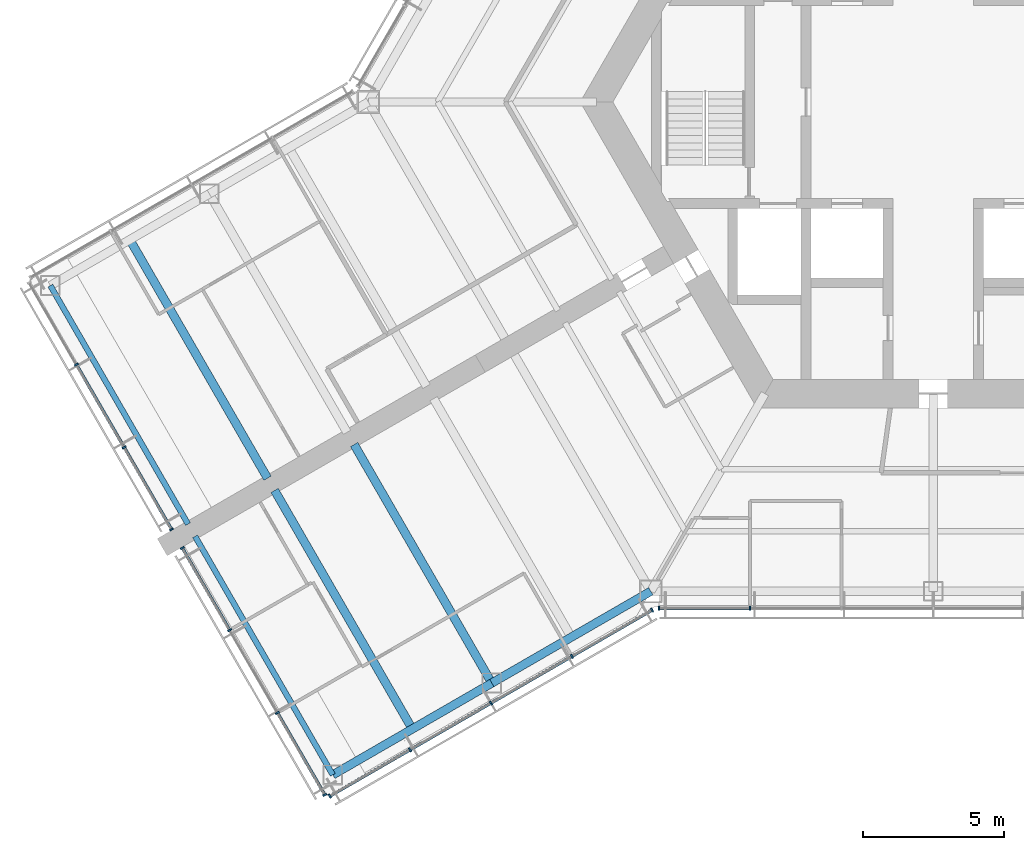
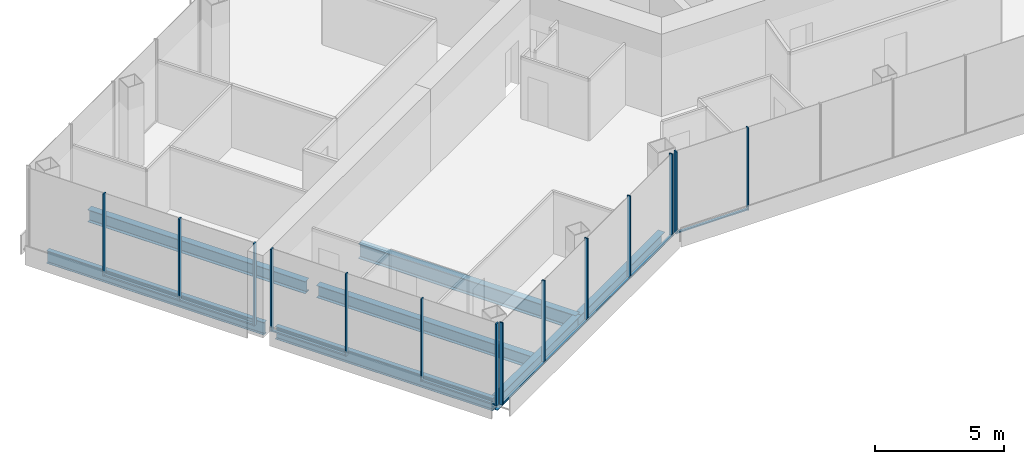
# One storey, part 2 of 18: 23 members, 7 beams, 4 elements without a shape of their own.
"""IFC4 building model written with IfcOpenShell, lengths in metres."""

from ifc_helpers import new_model, si_unit, direction, frame, origin, origin_2d, place, context, subcontext, project, spatial, rectangle, i_section, extrude, material, material_profile, profile_set, type_object, element, aggregate, save


model = new_model("IFC4")

# Units and contexts
model_context = context("Model", 3, precision=1e-05, world=origin(), true_north=direction((0.0, 1.0)))
body_context = subcontext(model_context, "Body", "Model", "MODEL_VIEW")
ifc_project = project(units=[si_unit("LENGTHUNIT", "METRE"), si_unit("AREAUNIT", "SQUARE_METRE"), si_unit("VOLUMEUNIT", "CUBIC_METRE"), si_unit("PLANEANGLEUNIT", "RADIAN"), si_unit("MASSUNIT", "GRAM", prefix="KILO")], contexts=[model_context])

# Site, building, storey
site_placement = place(None, origin())
site = spatial("IfcSite", under=ifc_project, at=site_placement, CompositionType="ELEMENT")
building_placement = place(site_placement, origin())
building = spatial("IfcBuilding", under=site, at=building_placement, Name="Kasaneha Research Tower", CompositionType="ELEMENT")
storey_placement = place(building_placement, frame((0.0, 0.0, 191.60009765625)))
storey = spatial("IfcBuildingStorey", under=building, at=storey_placement, Name="L48", CompositionType="ELEMENT", Elevation=191.60009765625)

# Beams
ifc_material_1 = material(Name="Steel SN490B", Category="steel")
ifc_material_profile_1 = material_profile(ifc_material_1, i_section(OverallWidth=0.300048828125, OverallDepth=0.58203125, WebThickness=0.011962890625, FlangeThickness=0.01708984375, FilletRadius=0.012939453125, at=origin_2d()), Name="H-582x300x12x17")
ifc_profile_set_1 = profile_set([ifc_material_profile_1], Name="Steel SN490B")
beam_type_1 = type_object("IfcBeamType", Name="B2-3 secondary beam H-582x300x12x17", PredefinedType="JOIST", material=ifc_profile_set_1)
for number, where, z_axis, x_axis, name in (
    (1, (-28.44384765625, -4.875, -0.441162109375), (0.499995560238, -0.866027967067, 0.0), (0.866027967067, 0.499995560238, 0.0), "Secondary beam WBBP2 L48"),
    (2, (-18.44384765625, -22.195556640625, -0.441162109375), (-0.499995560238, 0.866027967067, 0.0), (-0.866027967067, -0.499995560238, 0.0), "Secondary beam WBBN2 L48"),
):
    element("IfcBeam", number, at=place(storey_placement, frame(where, z_axis=z_axis, x_axis=x_axis)), inside=storey, type_object=beam_type_1, Name=name, PredefinedType="JOIST", context=body_context, shape_type="SweptSolid", body=[
        extrude(i_section(OverallWidth=0.300048828125, OverallDepth=0.58203125, WebThickness=0.011962890625, FlangeThickness=0.01708984375, FilletRadius=0.012939453125, at=origin_2d()), origin(), (0.0, 0.0, 1.0), 9.75),
    ])

# Curtain wall, members
ifc_material_2 = material(Name="Glass and aluminium", Category="aluminium")
curtain_wall_type = type_object("IfcCurtainWallType", Name="Mid-rise office curtain wall", PredefinedType="USERDEFINED", material=ifc_material_2)
curtain_wall_1_placement = place(storey_placement, origin())
curtain_wall_1 = element("IfcCurtainWall", 3, at=curtain_wall_1_placement, inside=storey, type_object=curtain_wall_type, Name="CW-O2 L48 run 01a", ObjectType="UNITISED CURTAIN WALL", PredefinedType="USERDEFINED")
ifc_material_3 = material(Name="Aluminium 6063-T6", Category="aluminium")
ifc_material_profile_2 = material_profile(ifc_material_3, rectangle(XDim=0.06005859375, YDim=0.14990234375, at=origin_2d()), Name="CW-O2 mullion 60x150")
ifc_profile_set_2 = profile_set([ifc_material_profile_2], Name="Aluminium 6063-T6")
member_type_1 = type_object("IfcMemberType", Name="CW-O2 mullion", PredefinedType="MULLION", material=ifc_profile_set_2)
member_1_placement = place(storey_placement, frame((-9.709228515625, -17.92041015625, 0.0), z_axis=(0.0, 0.0, 1.0), x_axis=(1.0, 0.0, 0.0)))
member_1 = element("IfcMember", 4, at=member_1_placement, type_object=member_type_1, Name="CW-O2 mullion 1", PredefinedType="MULLION", context=body_context, shape_type="SweptSolid", body=[
    extrude(rectangle(XDim=0.06005859375, YDim=0.14990234375, at=origin_2d()), origin(), (0.0, 0.0, 1.0), 3.89990234375),
])
member_2_placement = place(storey_placement, frame((-6.492919921875, -17.92041015625, 0.0), z_axis=(0.0, 0.0, 1.0), x_axis=(1.0, 0.0, 0.0)))
member_2 = element("IfcMember", 5, at=member_2_placement, type_object=member_type_1, Name="CW-O2 mullion 2", PredefinedType="MULLION", context=body_context, shape_type="SweptSolid", body=[
    extrude(rectangle(XDim=0.06005859375, YDim=0.14990234375, at=origin_2d()), origin(), (0.0, 0.0, 1.0), 3.89990234375),
])

curtain_wall_2_placement = place(storey_placement, origin())
curtain_wall_2 = element("IfcCurtainWall", 6, at=curtain_wall_2_placement, inside=storey, type_object=curtain_wall_type, Name="CW-O2 L48 run 10a", ObjectType="UNITISED CURTAIN WALL", PredefinedType="USERDEFINED")
member_3_placement = place(storey_placement, frame((-30.336181640625, -9.297119140625, 0.0), z_axis=(0.0, 0.0, 1.0), x_axis=(0.500000011442, -0.866025397178, 0.0)))
member_3 = element("IfcMember", 7, at=member_3_placement, type_object=member_type_1, Name="CW-O2 mullion 2", PredefinedType="MULLION", context=body_context, shape_type="SweptSolid", body=[
    extrude(rectangle(XDim=0.06005859375, YDim=0.14990234375, at=origin_2d()), origin(), (0.0, 0.0, 1.0), 3.89990234375),
])
member_4_placement = place(storey_placement, frame((-28.64453125, -12.22705078125, 0.0), z_axis=(0.0, 0.0, 1.0), x_axis=(0.500000011442, -0.866025397178, 0.0)))
member_4 = element("IfcMember", 8, at=member_4_placement, type_object=member_type_1, Name="CW-O2 mullion 3", PredefinedType="MULLION", context=body_context, shape_type="SweptSolid", body=[
    extrude(rectangle(XDim=0.06005859375, YDim=0.14990234375, at=origin_2d()), origin(), (0.0, 0.0, 1.0), 3.89990234375),
])
member_5_placement = place(storey_placement, frame((-26.968017578125, -15.131103515625, 0.0), z_axis=(0.0, 0.0, 1.0), x_axis=(0.500000011442, -0.866025397178, 0.0)))
member_5 = element("IfcMember", 9, at=member_5_placement, type_object=member_type_1, Name="CW-O2 mullion 4", PredefinedType="MULLION", context=body_context, shape_type="SweptSolid", body=[
    extrude(rectangle(XDim=0.06005859375, YDim=0.14990234375, at=origin_2d()), origin(), (0.0, 0.0, 1.0), 3.89990234375),
])

curtain_wall_3_placement = place(storey_placement, origin())
curtain_wall_3 = element("IfcCurtainWall", 10, at=curtain_wall_3_placement, inside=storey, type_object=curtain_wall_type, Name="CW-O2 L48 run 11a", ObjectType="UNITISED CURTAIN WALL", PredefinedType="USERDEFINED")
member_6_placement = place(storey_placement, frame((-26.587890625, -15.789306640625, 0.0), z_axis=(0.0, 0.0, 1.0), x_axis=(0.500000011442, -0.866025397178, 0.0)))
member_6 = element("IfcMember", 11, at=member_6_placement, type_object=member_type_1, Name="CW-O2 mullion 1", PredefinedType="MULLION", context=body_context, shape_type="SweptSolid", body=[
    extrude(rectangle(XDim=0.06005859375, YDim=0.14990234375, at=origin_2d()), origin(), (0.0, 0.0, 1.0), 3.89990234375),
])
member_7_placement = place(storey_placement, frame((-24.911376953125, -18.693359375, 0.0), z_axis=(0.0, 0.0, 1.0), x_axis=(0.500000011442, -0.866025397178, 0.0)))
member_7 = element("IfcMember", 12, at=member_7_placement, type_object=member_type_1, Name="CW-O2 mullion 2", PredefinedType="MULLION", context=body_context, shape_type="SweptSolid", body=[
    extrude(rectangle(XDim=0.06005859375, YDim=0.14990234375, at=origin_2d()), origin(), (0.0, 0.0, 1.0), 3.89990234375),
])
member_8_placement = place(storey_placement, frame((-23.2197265625, -21.62353515625, 0.0), z_axis=(0.0, 0.0, 1.0), x_axis=(0.500000011442, -0.866025397178, 0.0)))
member_8 = element("IfcMember", 13, at=member_8_placement, type_object=member_type_1, Name="CW-O2 mullion 3", PredefinedType="MULLION", context=body_context, shape_type="SweptSolid", body=[
    extrude(rectangle(XDim=0.06005859375, YDim=0.14990234375, at=origin_2d()), origin(), (0.0, 0.0, 1.0), 3.89990234375),
])
member_9_placement = place(storey_placement, frame((-21.54296875, -24.527587890625, 0.0), z_axis=(0.0, 0.0, 1.0), x_axis=(0.500000011442, -0.866025397178, 0.0)))
member_9 = element("IfcMember", 14, at=member_9_placement, type_object=member_type_1, Name="CW-O2 mullion 4", PredefinedType="MULLION", context=body_context, shape_type="SweptSolid", body=[
    extrude(rectangle(XDim=0.06005859375, YDim=0.14990234375, at=origin_2d()), origin(), (0.0, 0.0, 1.0), 3.89990234375),
])

curtain_wall_4_placement = place(storey_placement, origin())
curtain_wall_4 = element("IfcCurtainWall", 15, at=curtain_wall_4_placement, inside=storey, type_object=curtain_wall_type, Name="CW-O2 L48 run 12a", ObjectType="UNITISED CURTAIN WALL", PredefinedType="USERDEFINED")
member_10_placement = place(storey_placement, frame((-21.365478515625, -24.5751953125, 0.0), z_axis=(0.0, 0.0, 1.0), x_axis=(0.866025411464, 0.499999986699, 0.0)))
member_10 = element("IfcMember", 16, at=member_10_placement, type_object=member_type_1, Name="CW-O2 mullion 1", PredefinedType="MULLION", context=body_context, shape_type="SweptSolid", body=[
    extrude(rectangle(XDim=0.06005859375, YDim=0.14990234375, at=origin_2d()), origin(), (0.0, 0.0, 1.0), 3.89990234375),
])
member_11_placement = place(storey_placement, frame((-18.52490234375, -22.935302734375, 0.0), z_axis=(0.0, 0.0, 1.0), x_axis=(0.866025411464, 0.499999986699, 0.0)))
member_11 = element("IfcMember", 17, at=member_11_placement, type_object=member_type_1, Name="CW-O2 mullion 2", PredefinedType="MULLION", context=body_context, shape_type="SweptSolid", body=[
    extrude(rectangle(XDim=0.06005859375, YDim=0.14990234375, at=origin_2d()), origin(), (0.0, 0.0, 1.0), 3.89990234375),
])
member_12_placement = place(storey_placement, frame((-15.65869140625, -21.2802734375, 0.0), z_axis=(0.0, 0.0, 1.0), x_axis=(0.866025411464, 0.499999986699, 0.0)))
member_12 = element("IfcMember", 18, at=member_12_placement, type_object=member_type_1, Name="CW-O2 mullion 3", PredefinedType="MULLION", context=body_context, shape_type="SweptSolid", body=[
    extrude(rectangle(XDim=0.06005859375, YDim=0.14990234375, at=origin_2d()), origin(), (0.0, 0.0, 1.0), 3.89990234375),
])
member_13_placement = place(storey_placement, frame((-12.792236328125, -19.62548828125, 0.0), z_axis=(0.0, 0.0, 1.0), x_axis=(0.866025411464, 0.499999986699, 0.0)))
member_13 = element("IfcMember", 19, at=member_13_placement, type_object=member_type_1, Name="CW-O2 mullion 4", PredefinedType="MULLION", context=body_context, shape_type="SweptSolid", body=[
    extrude(rectangle(XDim=0.06005859375, YDim=0.14990234375, at=origin_2d()), origin(), (0.0, 0.0, 1.0), 3.89990234375),
])
member_14_placement = place(storey_placement, frame((-9.951904296875, -17.985595703125, 0.0), z_axis=(0.0, 0.0, 1.0), x_axis=(0.866025411464, 0.499999986699, 0.0)))
member_14 = element("IfcMember", 20, at=member_14_placement, type_object=member_type_1, Name="CW-O2 mullion 5", PredefinedType="MULLION", context=body_context, shape_type="SweptSolid", body=[
    extrude(rectangle(XDim=0.06005859375, YDim=0.14990234375, at=origin_2d()), origin(), (0.0, 0.0, 1.0), 3.89990234375),
])

# Member
ifc_material_4 = material(Name="Aluminium 6063-T6", Category="aluminium")
ifc_material_profile_3 = material_profile(ifc_material_4, rectangle(XDim=0.110107421875, YDim=0.06005859375, at=origin_2d()), Name="CW-O2 transom 110x60")
ifc_profile_set_3 = profile_set([ifc_material_profile_3], Name="Aluminium 6063-T6")
member_type_2 = type_object("IfcMemberType", Name="CW-O2 transom", PredefinedType="USERDEFINED", material=ifc_profile_set_3)
member_15_placement = place(storey_placement, frame((-9.67919921875, -17.92041015625, 0.02978515625), z_axis=(1.0, 0.0, 0.0), x_axis=(0.0, 1.0, 0.0)))
member_15 = element("IfcMember", 21, at=member_15_placement, type_object=member_type_2, Name="CW-O2 transom 1", ObjectType="TRANSOM", PredefinedType="USERDEFINED", context=body_context, shape_type="SweptSolid", body=[
    extrude(rectangle(XDim=0.110107421875, YDim=0.06005859375, at=origin_2d()), origin(), (0.0, 0.0, 1.0), 3.156494140625),
])

aggregate(curtain_wall_1, [member_1, member_2, member_15])

member_16_placement = place(storey_placement, frame((-30.3212890625, -9.322998046875, 0.02978515625), z_axis=(0.499978935311, -0.866037565146, 0.0), x_axis=(0.866037565146, 0.499978935311, 0.0)))
member_16 = element("IfcMember", 22, at=member_16_placement, type_object=member_type_2, Name="CW-O2 transom 2", ObjectType="TRANSOM", PredefinedType="USERDEFINED", context=body_context, shape_type="SweptSolid", body=[
    extrude(rectangle(XDim=0.110107421875, YDim=0.06005859375, at=origin_2d()), origin(), (0.0, 0.0, 1.0), 3.323486328125),
])

member_17_placement = place(storey_placement, frame((-28.629638671875, -12.253173828125, 0.02978515625), z_axis=(0.500021914551, -0.866012751043, 0.0), x_axis=(0.866012751043, 0.500021914551, 0.0)))
member_17 = element("IfcMember", 23, at=member_17_placement, type_object=member_type_2, Name="CW-O2 transom 3", ObjectType="TRANSOM", PredefinedType="USERDEFINED", context=body_context, shape_type="SweptSolid", body=[
    extrude(rectangle(XDim=0.110107421875, YDim=0.06005859375, at=origin_2d()), origin(), (0.0, 0.0, 1.0), 3.293212890625),
])

aggregate(curtain_wall_2, [member_3, member_4, member_5, member_16, member_17])

member_18_placement = place(storey_placement, frame((-26.572998046875, -15.8154296875, 0.02978515625), z_axis=(0.500021914551, -0.866012751043, 0.0), x_axis=(0.866012751043, 0.500021914551, 0.0)))
member_18 = element("IfcMember", 24, at=member_18_placement, type_object=member_type_2, Name="CW-O2 transom 1", ObjectType="TRANSOM", PredefinedType="USERDEFINED", context=body_context, shape_type="SweptSolid", body=[
    extrude(rectangle(XDim=0.110107421875, YDim=0.06005859375, at=origin_2d()), origin(), (0.0, 0.0, 1.0), 3.293212890625),
])

member_19_placement = place(storey_placement, frame((-23.20458984375, -21.6494140625, 0.02978515625), z_axis=(0.500021914551, -0.866012751043, 0.0), x_axis=(0.866012751043, 0.500021914551, 0.0)))
member_19 = element("IfcMember", 25, at=member_19_placement, type_object=member_type_2, Name="CW-O2 transom 3", ObjectType="TRANSOM", PredefinedType="USERDEFINED", context=body_context, shape_type="SweptSolid", body=[
    extrude(rectangle(XDim=0.110107421875, YDim=0.06005859375, at=origin_2d()), origin(), (0.0, 0.0, 1.0), 3.293212890625),
])

aggregate(curtain_wall_3, [member_6, member_7, member_8, member_9, member_18, member_19])

member_20_placement = place(storey_placement, frame((-21.33935546875, -24.56005859375, 0.02978515625), z_axis=(0.866022692473, 0.500004696101, 0.0), x_axis=(-0.500004696101, 0.866022692473, 0.0)))
member_20 = element("IfcMember", 26, at=member_20_placement, type_object=member_type_2, Name="CW-O2 transom 1", ObjectType="TRANSOM", PredefinedType="USERDEFINED", context=body_context, shape_type="SweptSolid", body=[
    extrude(rectangle(XDim=0.110107421875, YDim=0.06005859375, at=origin_2d()), origin(), (0.0, 0.0, 1.0), 3.2197265625),
])

member_21_placement = place(storey_placement, frame((-18.4990234375, -22.920166015625, 0.02978515625), z_axis=(0.86604797581, 0.499960902066, 0.0), x_axis=(-0.499960902066, 0.86604797581, 0.0)))
member_21 = element("IfcMember", 27, at=member_21_placement, type_object=member_type_2, Name="CW-O2 transom 2", ObjectType="TRANSOM", PredefinedType="USERDEFINED", context=body_context, shape_type="SweptSolid", body=[
    extrude(rectangle(XDim=0.110107421875, YDim=0.06005859375, at=origin_2d()), origin(), (0.0, 0.0, 1.0), 3.249755859375),
])

member_22_placement = place(storey_placement, frame((-15.632568359375, -21.265380859375, 0.02978515625), z_axis=(0.866015446554, 0.500017246033, 0.0), x_axis=(-0.500017246033, 0.866015446554, 0.0)))
member_22 = element("IfcMember", 28, at=member_22_placement, type_object=member_type_2, Name="CW-O2 transom 3", ObjectType="TRANSOM", PredefinedType="USERDEFINED", context=body_context, shape_type="SweptSolid", body=[
    extrude(rectangle(XDim=0.110107421875, YDim=0.06005859375, at=origin_2d()), origin(), (0.0, 0.0, 1.0), 3.25),
])

member_23_placement = place(storey_placement, frame((-12.76611328125, -19.6103515625, 0.02978515625), z_axis=(0.866022692473, 0.500004696101, 0.0), x_axis=(-0.500004696101, 0.866022692473, 0.0)))
member_23 = element("IfcMember", 29, at=member_23_placement, type_object=member_type_2, Name="CW-O2 transom 4", ObjectType="TRANSOM", PredefinedType="USERDEFINED", context=body_context, shape_type="SweptSolid", body=[
    extrude(rectangle(XDim=0.110107421875, YDim=0.06005859375, at=origin_2d()), origin(), (0.0, 0.0, 1.0), 3.2197265625),
])

aggregate(curtain_wall_4, [member_10, member_11, member_12, member_13, member_14, member_20, member_21, member_22, member_23])

# Beams
ifc_material_5 = material(Name="Steel SN490B", Category="steel")
ifc_material_profile_4 = material_profile(ifc_material_5, i_section(OverallWidth=0.300048828125, OverallDepth=0.699951171875, WebThickness=0.012939453125, FlangeThickness=0.02392578125, FilletRadius=0.01806640625, at=origin_2d()), Name="H-700x300x13x24")
ifc_profile_set_4 = profile_set([ifc_material_profile_4], Name="Steel SN490B")
beam_type_2 = type_object("IfcBeamType", Name="G4-3 wing girder H-700x300x13x24", PredefinedType="BEAM", material=ifc_profile_set_4)
beam_placement = place(storey_placement, frame((-15.629150390625, -20.570556640625, -0.5), z_axis=(-0.499995560238, 0.866027967067, 0.0), x_axis=(-0.866027967067, -0.499995560238, 0.0)))
element("IfcBeam", 30, at=beam_placement, inside=storey, type_object=beam_type_2, Name="Wing girder WGBN L48", PredefinedType="BEAM", context=body_context, shape_type="SweptSolid", body=[
    extrude(i_section(OverallWidth=0.300048828125, OverallDepth=0.699951171875, WebThickness=0.012939453125, FlangeThickness=0.02392578125, FilletRadius=0.01806640625, at=origin_2d()), origin(), (0.0, 0.0, 1.0), 9.75),
])
ifc_material_6 = material(Name="Steel SN490B", Category="steel")
ifc_material_profile_5 = material_profile(ifc_material_6, i_section(OverallWidth=0.300048828125, OverallDepth=0.58203125, WebThickness=0.011962890625, FlangeThickness=0.01708984375, FilletRadius=0.012939453125, at=origin_2d()), Name="H-582x300x12x17")
ifc_profile_set_5 = profile_set([ifc_material_profile_5], Name="Steel SN490B")
beam_type_3 = type_object("IfcBeamType", Name="SB2-3 spandrel beam H-582x300x12x17", PredefinedType="SPANDREL", material=ifc_profile_set_5)
for number, where, z_axis, x_axis, name in (
    (31, (-10.0, -17.320556640625, -0.441162109375), (-0.866024837091, -0.50000098154, 0.0), (0.50000098154, -0.866024837091, 0.0), "Spandrel beam WSBN1 L48"),
    (32, (-15.629150390625, -20.570556640625, -0.441162109375), (-0.866024837091, -0.50000098154, 0.0), (0.50000098154, -0.866024837091, 0.0), "Spandrel beam WSBN2 L48"),
):
    element("IfcBeam", number, at=place(storey_placement, frame(where, z_axis=z_axis, x_axis=x_axis)), inside=storey, type_object=beam_type_3, Name=name, PredefinedType="SPANDREL", context=body_context, shape_type="SweptSolid", body=[
        extrude(i_section(OverallWidth=0.300048828125, OverallDepth=0.58203125, WebThickness=0.011962890625, FlangeThickness=0.01708984375, FilletRadius=0.012939453125, at=origin_2d()), origin(), (0.0, 0.0, 1.0), 6.5),
    ])
ifc_material_7 = material(Name="Steel SN490B", Category="steel")
ifc_material_profile_6 = material_profile(ifc_material_7, i_section(OverallWidth=0.199951171875, OverallDepth=0.60009765625, WebThickness=0.010986328125, FlangeThickness=0.01708984375, FilletRadius=0.012939453125, at=origin_2d()), Name="H-600x200x11x17")
ifc_profile_set_6 = profile_set([ifc_material_profile_6], Name="Steel SN490B")
beam_type_4 = type_object("IfcBeamType", Name="SB3-3 spandrel beam H-600x200x11x17", PredefinedType="SPANDREL", material=ifc_profile_set_6)
for number, where, z_axis, x_axis, name in (
    (33, (-31.25830078125, -6.5, -0.4501953125), (0.499995560238, -0.866027967067, 0.0), (0.866027967067, 0.499995560238, 0.0), "Spandrel beam WTBP L48"),
    (34, (-21.25830078125, -23.820556640625, -0.4501953125), (-0.499995560238, 0.866027967067, 0.0), (-0.866027967067, -0.499995560238, 0.0), "Spandrel beam WTBN L48"),
):
    element("IfcBeam", number, at=place(storey_placement, frame(where, z_axis=z_axis, x_axis=x_axis)), inside=storey, type_object=beam_type_4, Name=name, PredefinedType="SPANDREL", context=body_context, shape_type="SweptSolid", body=[
        extrude(i_section(OverallWidth=0.199951171875, OverallDepth=0.60009765625, WebThickness=0.010986328125, FlangeThickness=0.01708984375, FilletRadius=0.012939453125, at=origin_2d()), origin(), (0.0, 0.0, 1.0), 9.75),
    ])

save(model, "model.ifc")
